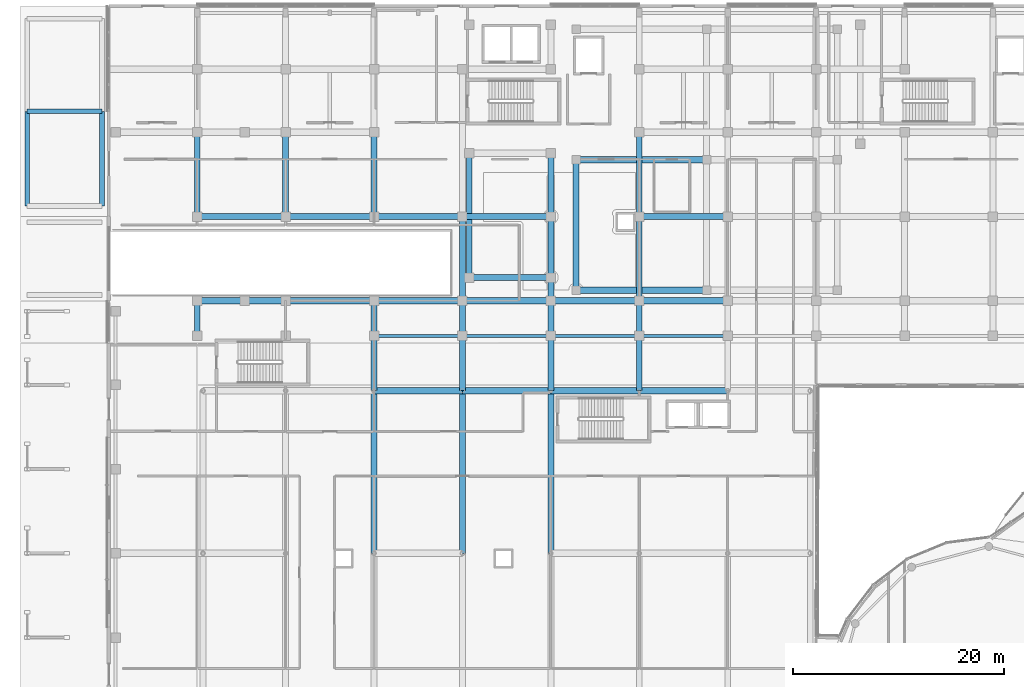
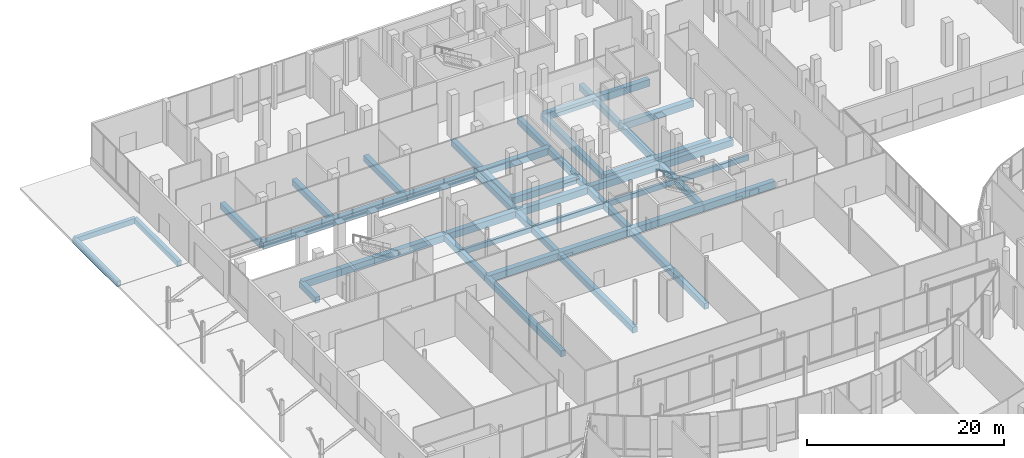
# One storey, part 70 of 158: 49 beams.
"""IFC4 building model written with IfcOpenShell, lengths in metres."""

from ifc_helpers import new_model, si_unit, direction, frame, origin, origin_2d, place, context, subcontext, project, spatial, rectangle, extrude, material, material_profile, profile_set, type_object, element, save


model = new_model("IFC4")

# Units and contexts
model_context = context("Model", 3, precision=1e-05, world=origin(), true_north=direction((0.0, 1.0)))
body_context = subcontext(model_context, "Body", "Model", "MODEL_VIEW")
ifc_project = project(units=[si_unit("LENGTHUNIT", "METRE"), si_unit("AREAUNIT", "SQUARE_METRE"), si_unit("VOLUMEUNIT", "CUBIC_METRE"), si_unit("PLANEANGLEUNIT", "RADIAN"), si_unit("MASSUNIT", "GRAM", prefix="KILO")], contexts=[model_context])

# Site, building, storey
site_placement = place(None, origin())
site = spatial("IfcSite", under=ifc_project, at=site_placement, CompositionType="ELEMENT")
building_placement = place(site_placement, origin())
building = spatial("IfcBuilding", under=site, at=building_placement, Name="Selatvlak General Hospital", CompositionType="ELEMENT")
storey_placement = place(building_placement, origin())
storey = spatial("IfcBuildingStorey", under=building, at=storey_placement, Name="L00", CompositionType="ELEMENT", Elevation=0.0)

# Beams
ifc_material = material(Name="Concrete C40/50", Category="concrete")
ifc_material_profile_1 = material_profile(ifc_material, rectangle(XDim=0.60009765625, YDim=0.85009765625, at=origin_2d()), Name="RC-BM 600x850")
ifc_profile_set_1 = profile_set([ifc_material_profile_1], Name="Concrete C40/50")
beam_type_1 = type_object("IfcBeamType", Name="BM-G01", PredefinedType="BEAM", material=ifc_profile_set_1)
for number, where, z_axis, x_axis, name in (
    (1, (39.60009765625, 83.449951171875, -0.77490234375), (1.0, 0.0, 0.0), (0.0, 1.0, 0.0), "Beam BMR-L00-0045"),
    (2, (48.0, 83.449951171875, -0.77490234375), (1.0, 0.0, 0.0), (0.0, 1.0, 0.0), "Beam BMR-L00-0046"),
):
    element("IfcBeam", number, at=place(storey_placement, frame(where, z_axis=z_axis, x_axis=x_axis)), inside=storey, type_object=beam_type_1, Name=name, PredefinedType="BEAM", context=body_context, shape_type="SweptSolid", body=[
        extrude(rectangle(XDim=0.60009765625, YDim=0.85009765625, at=origin_2d()), origin(), (0.0, 0.0, 1.0), 8.39990234375),
    ])
beam_1_placement = place(storey_placement, frame((56.39990234375, 83.449951171875, -0.77490234375), z_axis=(1.0, 0.0, 0.0), x_axis=(0.0, 1.0, 0.0)))
element("IfcBeam", 3, at=beam_1_placement, inside=storey, type_object=beam_type_1, Name="Beam BMR-L00-0047", PredefinedType="BEAM", context=body_context, shape_type="SweptSolid", body=[
    extrude(rectangle(XDim=0.60009765625, YDim=0.85009765625, at=origin_2d()), origin(), (0.0, 0.0, 1.0), 8.400146484375),
])
beam_2_placement = place(storey_placement, frame((64.800048828125, 83.449951171875, -0.77490234375), z_axis=(1.0, 0.0, 0.0), x_axis=(0.0, 1.0, 0.0)))
element("IfcBeam", 4, at=beam_2_placement, inside=storey, type_object=beam_type_1, Name="Beam BMR-L00-0048", PredefinedType="BEAM", context=body_context, shape_type="SweptSolid", body=[
    extrude(rectangle(XDim=0.60009765625, YDim=0.85009765625, at=origin_2d()), origin(), (0.0, 0.0, 1.0), 8.39990234375),
])
beam_3_placement = place(storey_placement, frame((22.800048828125, 92.0, -0.77490234375), z_axis=(1.0, 0.0, 0.0), x_axis=(0.0, 1.0, 0.0)))
element("IfcBeam", 5, at=beam_3_placement, inside=storey, type_object=beam_type_1, Name="Beam BMR-L00-0072", PredefinedType="BEAM", context=body_context, shape_type="SweptSolid", body=[
    extrude(rectangle(XDim=0.60009765625, YDim=0.85009765625, at=origin_2d()), origin(), (0.0, 0.0, 1.0), 4.5),
])
beam_4_placement = place(storey_placement, frame((27.300048828125, 92.0, -0.77490234375), z_axis=(1.0, 0.0, 0.0), x_axis=(0.0, 1.0, 0.0)))
element("IfcBeam", 6, at=beam_4_placement, inside=storey, type_object=beam_type_1, Name="Beam BMR-L00-0073", PredefinedType="BEAM", context=body_context, shape_type="SweptSolid", body=[
    extrude(rectangle(XDim=0.60009765625, YDim=0.85009765625, at=origin_2d()), origin(), (0.0, 0.0, 1.0), 3.89990234375),
])
beam_5_placement = place(storey_placement, frame((31.199951171875, 92.0, -0.77490234375), z_axis=(1.0, 0.0, 0.0), x_axis=(0.0, 1.0, 0.0)))
element("IfcBeam", 7, at=beam_5_placement, inside=storey, type_object=beam_type_1, Name="Beam BMR-L00-0074", PredefinedType="BEAM", context=body_context, shape_type="SweptSolid", body=[
    extrude(rectangle(XDim=0.60009765625, YDim=0.85009765625, at=origin_2d()), origin(), (0.0, 0.0, 1.0), 8.400146484375),
])
for number, where, z_axis, x_axis, name in (
    (8, (39.60009765625, 92.0, -0.77490234375), (1.0, 0.0, 0.0), (0.0, 1.0, 0.0), "Beam BMR-L00-0075"),
    (9, (48.0, 92.0, -0.77490234375), (1.0, 0.0, 0.0), (0.0, 1.0, 0.0), "Beam BMR-L00-0076"),
):
    element("IfcBeam", number, at=place(storey_placement, frame(where, z_axis=z_axis, x_axis=x_axis)), inside=storey, type_object=beam_type_1, Name=name, PredefinedType="BEAM", context=body_context, shape_type="SweptSolid", body=[
        extrude(rectangle(XDim=0.60009765625, YDim=0.85009765625, at=origin_2d()), origin(), (0.0, 0.0, 1.0), 8.39990234375),
    ])
beam_6_placement = place(storey_placement, frame((56.39990234375, 92.0, -0.77490234375), z_axis=(1.0, 0.0, 0.0), x_axis=(0.0, 1.0, 0.0)))
element("IfcBeam", 10, at=beam_6_placement, inside=storey, type_object=beam_type_1, Name="Beam BMR-L00-0077", PredefinedType="BEAM", context=body_context, shape_type="SweptSolid", body=[
    extrude(rectangle(XDim=0.60009765625, YDim=0.85009765625, at=origin_2d()), origin(), (0.0, 0.0, 1.0), 8.400146484375),
])
beam_7_placement = place(storey_placement, frame((64.800048828125, 92.0, -0.77490234375), z_axis=(1.0, 0.0, 0.0), x_axis=(0.0, 1.0, 0.0)))
element("IfcBeam", 11, at=beam_7_placement, inside=storey, type_object=beam_type_1, Name="Beam BMR-L00-0078", PredefinedType="BEAM", context=body_context, shape_type="SweptSolid", body=[
    extrude(rectangle(XDim=0.60009765625, YDim=0.85009765625, at=origin_2d()), origin(), (0.0, 0.0, 1.0), 8.39990234375),
])
beam_8_placement = place(storey_placement, frame((58.800048828125, 93.0, -0.77490234375), z_axis=(1.0, 0.0, 0.0), x_axis=(0.0, 1.0, 0.0)))
element("IfcBeam", 12, at=beam_8_placement, inside=storey, type_object=beam_type_1, Name="Beam BMR-L00-0093", PredefinedType="BEAM", context=body_context, shape_type="SweptSolid", body=[
    extrude(rectangle(XDim=0.60009765625, YDim=0.85009765625, at=origin_2d()), origin(), (0.0, 0.0, 1.0), 12.39990234375),
])
beam_9_placement = place(storey_placement, frame((48.64990234375, 94.199951171875, -0.77490234375), z_axis=(1.0, 0.0, 0.0), x_axis=(0.0, 1.0, 0.0)))
element("IfcBeam", 13, at=beam_9_placement, inside=storey, type_object=beam_type_1, Name="Beam BMR-L00-0095", PredefinedType="BEAM", context=body_context, shape_type="SweptSolid", body=[
    extrude(rectangle(XDim=0.60009765625, YDim=0.85009765625, at=origin_2d()), origin(), (0.0, 0.0, 1.0), 7.75),
])
beam_10_placement = place(storey_placement, frame((22.800048828125, 100.0, -0.77490234375), z_axis=(1.0, 0.0, 0.0), x_axis=(0.0, 1.0, 0.0)))
element("IfcBeam", 14, at=beam_10_placement, inside=storey, type_object=beam_type_1, Name="Beam BMR-L00-0096", PredefinedType="BEAM", context=body_context, shape_type="SweptSolid", body=[
    extrude(rectangle(XDim=0.60009765625, YDim=0.85009765625, at=origin_2d()), origin(), (0.0, 0.0, 1.0), 8.39990234375),
])
beam_11_placement = place(storey_placement, frame((31.199951171875, 100.0, -0.77490234375), z_axis=(1.0, 0.0, 0.0), x_axis=(0.0, 1.0, 0.0)))
element("IfcBeam", 15, at=beam_11_placement, inside=storey, type_object=beam_type_1, Name="Beam BMR-L00-0097", PredefinedType="BEAM", context=body_context, shape_type="SweptSolid", body=[
    extrude(rectangle(XDim=0.60009765625, YDim=0.85009765625, at=origin_2d()), origin(), (0.0, 0.0, 1.0), 8.400146484375),
])
for number, where, z_axis, x_axis, name in (
    (16, (39.60009765625, 100.0, -0.77490234375), (1.0, 0.0, 0.0), (0.0, 1.0, 0.0), "Beam BMR-L00-0098"),
    (17, (48.0, 100.0, -0.77490234375), (1.0, 0.0, 0.0), (0.0, 1.0, 0.0), "Beam BMR-L00-0099"),
    (18, (64.800048828125, 100.0, -0.77490234375), (1.0, 0.0, 0.0), (0.0, 1.0, 0.0), "Beam BMR-L00-0100"),
):
    element("IfcBeam", number, at=place(storey_placement, frame(where, z_axis=z_axis, x_axis=x_axis)), inside=storey, type_object=beam_type_1, Name=name, PredefinedType="BEAM", context=body_context, shape_type="SweptSolid", body=[
        extrude(rectangle(XDim=0.60009765625, YDim=0.85009765625, at=origin_2d()), origin(), (0.0, 0.0, 1.0), 8.39990234375),
    ])
beam_12_placement = place(storey_placement, frame((58.800048828125, 105.39990234375, -0.77490234375), z_axis=(1.0, 0.0, 0.0), x_axis=(0.0, 1.0, 0.0)))
element("IfcBeam", 19, at=beam_12_placement, inside=storey, type_object=beam_type_1, Name="Beam BMR-L00-0113", PredefinedType="BEAM", context=body_context, shape_type="SweptSolid", body=[
    extrude(rectangle(XDim=0.60009765625, YDim=0.85009765625, at=origin_2d()), origin(), (0.0, 0.0, 1.0), 12.39990234375),
])
ifc_material_profile_2 = material_profile(ifc_material, rectangle(XDim=0.550048828125, YDim=0.75, at=origin_2d()), Name="RC-BM 550x750")
ifc_profile_set_2 = profile_set([ifc_material_profile_2], Name="Concrete C40/50")
beam_type_2 = type_object("IfcBeamType", Name="BM-G02", PredefinedType="BEAM", material=ifc_profile_set_2)
beam_13_placement = place(storey_placement, frame((22.800048828125, 88.64990234375, -0.72509765625), z_axis=(0.0, 1.0, 0.0), x_axis=(-1.0, 0.0, 0.0)))
element("IfcBeam", 20, at=beam_13_placement, inside=storey, type_object=beam_type_2, Name="Beam BMR-L00-0163", PredefinedType="BEAM", context=body_context, shape_type="SweptSolid", body=[
    extrude(rectangle(XDim=0.550048828125, YDim=0.75, at=origin_2d()), origin(), (0.0, 0.0, 1.0), 3.35009765625),
])
for number, where, z_axis, x_axis, name in (
    (21, (22.800048828125, 100.0, -0.72509765625), (0.0, 1.0, 0.0), (-1.0, 0.0, 0.0), "Beam BMR-L00-0164"),
    (22, (31.199951171875, 100.0, -0.72509765625), (0.0, 1.0, 0.0), (-1.0, 0.0, 0.0), "Beam BMR-L00-0171"),
):
    element("IfcBeam", number, at=place(storey_placement, frame(where, z_axis=z_axis, x_axis=x_axis)), inside=storey, type_object=beam_type_2, Name=name, PredefinedType="BEAM", context=body_context, shape_type="SweptSolid", body=[
        extrude(rectangle(XDim=0.550048828125, YDim=0.75, at=origin_2d()), origin(), (0.0, 0.0, 1.0), 8.0),
    ])
beam_14_placement = place(storey_placement, frame((39.60009765625, 68.0, -0.72509765625), z_axis=(0.0, 1.0, 0.0), x_axis=(-1.0, 0.0, 0.0)))
element("IfcBeam", 23, at=beam_14_placement, inside=storey, type_object=beam_type_2, Name="Beam BMR-L00-0175", PredefinedType="BEAM", context=body_context, shape_type="SweptSolid", body=[
    extrude(rectangle(XDim=0.550048828125, YDim=0.75, at=origin_2d()), origin(), (0.0, 0.0, 1.0), 15.449951171875),
])
beam_15_placement = place(storey_placement, frame((39.60009765625, 83.449951171875, -0.72509765625), z_axis=(0.0, 1.0, 0.0), x_axis=(-1.0, 0.0, 0.0)))
element("IfcBeam", 24, at=beam_15_placement, inside=storey, type_object=beam_type_2, Name="Beam BMR-L00-0176", PredefinedType="BEAM", context=body_context, shape_type="SweptSolid", body=[
    extrude(rectangle(XDim=0.550048828125, YDim=0.75, at=origin_2d()), origin(), (0.0, 0.0, 1.0), 5.199951171875),
])
beam_16_placement = place(storey_placement, frame((39.60009765625, 88.64990234375, -0.72509765625), z_axis=(0.0, 1.0, 0.0), x_axis=(-1.0, 0.0, 0.0)))
element("IfcBeam", 25, at=beam_16_placement, inside=storey, type_object=beam_type_2, Name="Beam BMR-L00-0177", PredefinedType="BEAM", context=body_context, shape_type="SweptSolid", body=[
    extrude(rectangle(XDim=0.550048828125, YDim=0.75, at=origin_2d()), origin(), (0.0, 0.0, 1.0), 3.35009765625),
])
beam_17_placement = place(storey_placement, frame((39.60009765625, 100.0, -0.72509765625), z_axis=(0.0, 1.0, 0.0), x_axis=(-1.0, 0.0, 0.0)))
element("IfcBeam", 26, at=beam_17_placement, inside=storey, type_object=beam_type_2, Name="Beam BMR-L00-0178", PredefinedType="BEAM", context=body_context, shape_type="SweptSolid", body=[
    extrude(rectangle(XDim=0.550048828125, YDim=0.75, at=origin_2d()), origin(), (0.0, 0.0, 1.0), 8.0),
])
beam_18_placement = place(storey_placement, frame((48.0, 68.0, -0.72509765625), z_axis=(0.0, 1.0, 0.0), x_axis=(-1.0, 0.0, 0.0)))
element("IfcBeam", 27, at=beam_18_placement, inside=storey, type_object=beam_type_2, Name="Beam BMR-L00-0182", PredefinedType="BEAM", context=body_context, shape_type="SweptSolid", body=[
    extrude(rectangle(XDim=0.550048828125, YDim=0.75, at=origin_2d()), origin(), (0.0, 0.0, 1.0), 15.449951171875),
])
beam_19_placement = place(storey_placement, frame((48.0, 83.449951171875, -0.72509765625), z_axis=(0.0, 1.0, 0.0), x_axis=(-1.0, 0.0, 0.0)))
element("IfcBeam", 28, at=beam_19_placement, inside=storey, type_object=beam_type_2, Name="Beam BMR-L00-0183", PredefinedType="BEAM", context=body_context, shape_type="SweptSolid", body=[
    extrude(rectangle(XDim=0.550048828125, YDim=0.75, at=origin_2d()), origin(), (0.0, 0.0, 1.0), 5.199951171875),
])
beam_20_placement = place(storey_placement, frame((48.0, 88.64990234375, -0.72509765625), z_axis=(0.0, 1.0, 0.0), x_axis=(-1.0, 0.0, 0.0)))
element("IfcBeam", 29, at=beam_20_placement, inside=storey, type_object=beam_type_2, Name="Beam BMR-L00-0184", PredefinedType="BEAM", context=body_context, shape_type="SweptSolid", body=[
    extrude(rectangle(XDim=0.550048828125, YDim=0.75, at=origin_2d()), origin(), (0.0, 0.0, 1.0), 3.35009765625),
])
beam_21_placement = place(storey_placement, frame((48.0, 92.0, -0.72509765625), z_axis=(0.0, 1.0, 0.0), x_axis=(-1.0, 0.0, 0.0)))
element("IfcBeam", 30, at=beam_21_placement, inside=storey, type_object=beam_type_2, Name="Beam BMR-L00-0185", PredefinedType="BEAM", context=body_context, shape_type="SweptSolid", body=[
    extrude(rectangle(XDim=0.550048828125, YDim=0.75, at=origin_2d()), origin(), (0.0, 0.0, 1.0), 8.0),
])
beam_22_placement = place(storey_placement, frame((48.64990234375, 94.199951171875, -0.72509765625), z_axis=(0.0, 1.0, 0.0), x_axis=(-1.0, 0.0, 0.0)))
element("IfcBeam", 31, at=beam_22_placement, inside=storey, type_object=beam_type_2, Name="Beam BMR-L00-0187", PredefinedType="BEAM", context=body_context, shape_type="SweptSolid", body=[
    extrude(rectangle(XDim=0.550048828125, YDim=0.75, at=origin_2d()), origin(), (0.0, 0.0, 1.0), 11.800048828125),
])
beam_23_placement = place(storey_placement, frame((56.39990234375, 68.0, -0.72509765625), z_axis=(0.0, 1.0, 0.0), x_axis=(-1.0, 0.0, 0.0)))
element("IfcBeam", 32, at=beam_23_placement, inside=storey, type_object=beam_type_2, Name="Beam BMR-L00-0189", PredefinedType="BEAM", context=body_context, shape_type="SweptSolid", body=[
    extrude(rectangle(XDim=0.550048828125, YDim=0.75, at=origin_2d()), origin(), (0.0, 0.0, 1.0), 15.449951171875),
])
beam_24_placement = place(storey_placement, frame((56.39990234375, 83.449951171875, -0.72509765625), z_axis=(0.0, 1.0, 0.0), x_axis=(-1.0, 0.0, 0.0)))
element("IfcBeam", 33, at=beam_24_placement, inside=storey, type_object=beam_type_2, Name="Beam BMR-L00-0190", PredefinedType="BEAM", context=body_context, shape_type="SweptSolid", body=[
    extrude(rectangle(XDim=0.550048828125, YDim=0.75, at=origin_2d()), origin(), (0.0, 0.0, 1.0), 5.199951171875),
])
beam_25_placement = place(storey_placement, frame((56.39990234375, 88.64990234375, -0.72509765625), z_axis=(0.0, 1.0, 0.0), x_axis=(-1.0, 0.0, 0.0)))
element("IfcBeam", 34, at=beam_25_placement, inside=storey, type_object=beam_type_2, Name="Beam BMR-L00-0191", PredefinedType="BEAM", context=body_context, shape_type="SweptSolid", body=[
    extrude(rectangle(XDim=0.550048828125, YDim=0.75, at=origin_2d()), origin(), (0.0, 0.0, 1.0), 3.35009765625),
])
beam_26_placement = place(storey_placement, frame((56.39990234375, 92.0, -0.72509765625), z_axis=(0.0, 1.0, 0.0), x_axis=(-1.0, 0.0, 0.0)))
element("IfcBeam", 35, at=beam_26_placement, inside=storey, type_object=beam_type_2, Name="Beam BMR-L00-0192", PredefinedType="BEAM", context=body_context, shape_type="SweptSolid", body=[
    extrude(rectangle(XDim=0.550048828125, YDim=0.75, at=origin_2d()), origin(), (0.0, 0.0, 1.0), 2.199951171875),
])
beam_27_placement = place(storey_placement, frame((56.39990234375, 94.199951171875, -0.72509765625), z_axis=(0.0, 1.0, 0.0), x_axis=(-1.0, 0.0, 0.0)))
element("IfcBeam", 36, at=beam_27_placement, inside=storey, type_object=beam_type_2, Name="Beam BMR-L00-0193", PredefinedType="BEAM", context=body_context, shape_type="SweptSolid", body=[
    extrude(rectangle(XDim=0.550048828125, YDim=0.75, at=origin_2d()), origin(), (0.0, 0.0, 1.0), 5.800048828125),
])
beam_28_placement = place(storey_placement, frame((56.39990234375, 100.0, -0.72509765625), z_axis=(0.0, 1.0, 0.0), x_axis=(-1.0, 0.0, 0.0)))
element("IfcBeam", 37, at=beam_28_placement, inside=storey, type_object=beam_type_2, Name="Beam BMR-L00-0194", PredefinedType="BEAM", context=body_context, shape_type="SweptSolid", body=[
    extrude(rectangle(XDim=0.550048828125, YDim=0.75, at=origin_2d()), origin(), (0.0, 0.0, 1.0), 6.0),
])
beam_29_placement = place(storey_placement, frame((58.800048828125, 93.0, -0.72509765625), z_axis=(0.0, 1.0, 0.0), x_axis=(-1.0, 0.0, 0.0)))
element("IfcBeam", 38, at=beam_29_placement, inside=storey, type_object=beam_type_2, Name="Beam BMR-L00-0196", PredefinedType="BEAM", context=body_context, shape_type="SweptSolid", body=[
    extrude(rectangle(XDim=0.550048828125, YDim=0.75, at=origin_2d()), origin(), (0.0, 0.0, 1.0), 12.39990234375),
])
beam_30_placement = place(storey_placement, frame((64.800048828125, 83.449951171875, -0.72509765625), z_axis=(0.0, 1.0, 0.0), x_axis=(-1.0, 0.0, 0.0)))
element("IfcBeam", 39, at=beam_30_placement, inside=storey, type_object=beam_type_2, Name="Beam BMR-L00-0198", PredefinedType="BEAM", context=body_context, shape_type="SweptSolid", body=[
    extrude(rectangle(XDim=0.550048828125, YDim=0.75, at=origin_2d()), origin(), (0.0, 0.0, 1.0), 5.199951171875),
])
beam_31_placement = place(storey_placement, frame((64.800048828125, 88.64990234375, -0.72509765625), z_axis=(0.0, 1.0, 0.0), x_axis=(-1.0, 0.0, 0.0)))
element("IfcBeam", 40, at=beam_31_placement, inside=storey, type_object=beam_type_2, Name="Beam BMR-L00-0199", PredefinedType="BEAM", context=body_context, shape_type="SweptSolid", body=[
    extrude(rectangle(XDim=0.550048828125, YDim=0.75, at=origin_2d()), origin(), (0.0, 0.0, 1.0), 3.35009765625),
])
for number, where, z_axis, x_axis, name in (
    (41, (64.800048828125, 92.0, -0.72509765625), (0.0, 1.0, 0.0), (-1.0, 0.0, 0.0), "Beam BMR-L00-0200"),
    (42, (64.800048828125, 100.0, -0.72509765625), (0.0, 1.0, 0.0), (-1.0, 0.0, 0.0), "Beam BMR-L00-0201"),
):
    element("IfcBeam", number, at=place(storey_placement, frame(where, z_axis=z_axis, x_axis=x_axis)), inside=storey, type_object=beam_type_2, Name=name, PredefinedType="BEAM", context=body_context, shape_type="SweptSolid", body=[
        extrude(rectangle(XDim=0.550048828125, YDim=0.75, at=origin_2d()), origin(), (0.0, 0.0, 1.0), 8.0),
    ])
ifc_material_profile_3 = material_profile(ifc_material, rectangle(XDim=0.449951171875, YDim=0.64990234375, at=origin_2d()), Name="RC-BM 450x650")
ifc_profile_set_3 = profile_set([ifc_material_profile_3], Name="Concrete C40/50")
beam_type_3 = type_object("IfcBeamType", Name="BM-G04", PredefinedType="BEAM", material=ifc_profile_set_3)
beam_32_placement = place(storey_placement, frame((6.64990234375, 110.0, -0.570068359375), z_axis=(1.0, 0.0, 0.0), x_axis=(0.0, 1.0, 0.0)))
element("IfcBeam", 43, at=beam_32_placement, inside=storey, type_object=beam_type_3, Name="Beam BMR-L00-2924", PredefinedType="BEAM", context=body_context, shape_type="SweptSolid", body=[
    extrude(rectangle(XDim=0.449951171875, YDim=0.64990234375, at=origin_2d()), origin(), (0.0, 0.0, 1.0), 7.10009765625),
])
for number, where, z_axis, x_axis, name in (
    (44, (6.64990234375, 101.0, -0.570068359375), (0.0, 1.0, 0.0), (-1.0, 0.0, 0.0), "Beam BMR-L00-2926"),
    (45, (13.75, 101.0, -0.570068359375), (0.0, 1.0, 0.0), (-1.0, 0.0, 0.0), "Beam BMR-L00-2928"),
):
    element("IfcBeam", number, at=place(storey_placement, frame(where, z_axis=z_axis, x_axis=x_axis)), inside=storey, type_object=beam_type_3, Name=name, PredefinedType="BEAM", context=body_context, shape_type="SweptSolid", body=[
        extrude(rectangle(XDim=0.449951171875, YDim=0.64990234375, at=origin_2d()), origin(), (0.0, 0.0, 1.0), 9.0),
    ])
ifc_material_profile_4 = material_profile(ifc_material, rectangle(XDim=0.300048828125, YDim=0.64990234375, at=origin_2d()), Name="RC-SP 300x650")
ifc_profile_set_4 = profile_set([ifc_material_profile_4], Name="Concrete C40/50")
beam_type_4 = type_object("IfcBeamType", Name="BM-SP1", PredefinedType="SPANDREL", material=ifc_profile_set_4)
for number, where, z_axis, x_axis, name in (
    (46, (39.60009765625, 88.64990234375, -0.675048828125), (1.0, 0.0, 0.0), (0.0, 1.0, 0.0), "Beam BMR-L00-0055"),
    (47, (48.0, 88.64990234375, -0.675048828125), (1.0, 0.0, 0.0), (0.0, 1.0, 0.0), "Beam BMR-L00-0056"),
):
    element("IfcBeam", number, at=place(storey_placement, frame(where, z_axis=z_axis, x_axis=x_axis)), inside=storey, type_object=beam_type_4, Name=name, PredefinedType="SPANDREL", context=body_context, shape_type="SweptSolid", body=[
        extrude(rectangle(XDim=0.300048828125, YDim=0.64990234375, at=origin_2d()), origin(), (0.0, 0.0, 1.0), 8.39990234375),
    ])
beam_33_placement = place(storey_placement, frame((56.39990234375, 88.64990234375, -0.675048828125), z_axis=(1.0, 0.0, 0.0), x_axis=(0.0, 1.0, 0.0)))
element("IfcBeam", 48, at=beam_33_placement, inside=storey, type_object=beam_type_4, Name="Beam BMR-L00-0057", PredefinedType="SPANDREL", context=body_context, shape_type="SweptSolid", body=[
    extrude(rectangle(XDim=0.300048828125, YDim=0.64990234375, at=origin_2d()), origin(), (0.0, 0.0, 1.0), 8.400146484375),
])
beam_34_placement = place(storey_placement, frame((64.800048828125, 88.64990234375, -0.675048828125), z_axis=(1.0, 0.0, 0.0), x_axis=(0.0, 1.0, 0.0)))
element("IfcBeam", 49, at=beam_34_placement, inside=storey, type_object=beam_type_4, Name="Beam BMR-L00-0058", PredefinedType="SPANDREL", context=body_context, shape_type="SweptSolid", body=[
    extrude(rectangle(XDim=0.300048828125, YDim=0.64990234375, at=origin_2d()), origin(), (0.0, 0.0, 1.0), 8.39990234375),
])

save(model, "model.ifc")
